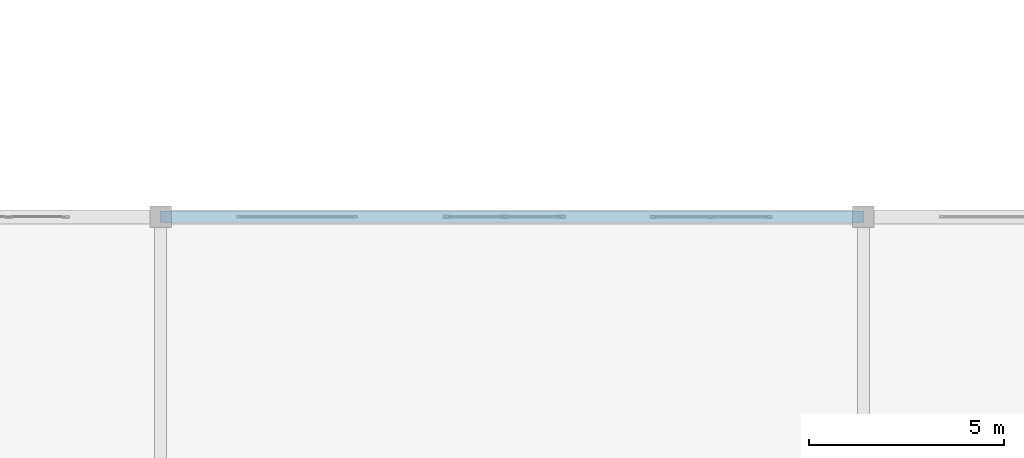
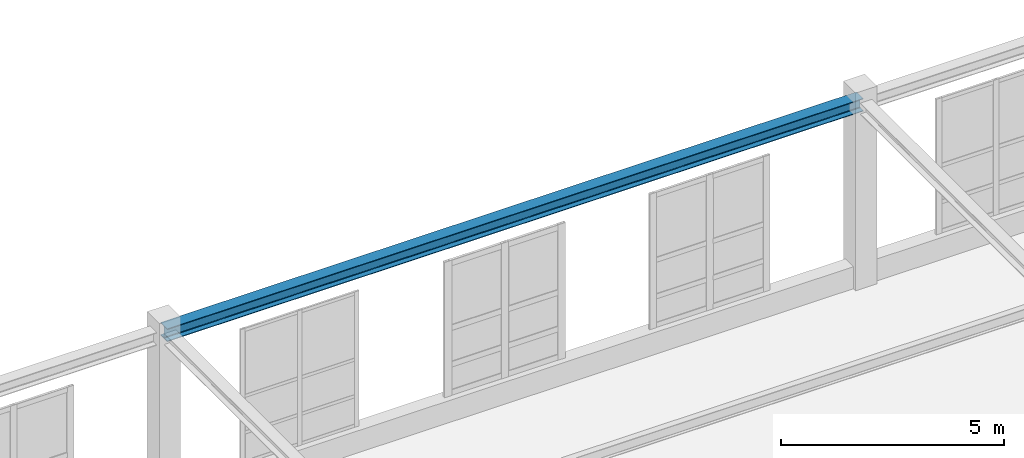
# One storey, part 89 of 197: 1 beam.
"""IFC4 building model written with IfcOpenShell, lengths in metres."""

from ifc_helpers import new_model, si_unit, derived_unit, direction, frame, origin, origin_2d, place, context, subcontext, project, spatial, i_section, extrude, material, material_profile, profile_set, type_object, element, save


model = new_model("IFC4")

# Units and contexts
model_context = context("Model", 3, precision=1e-05, world=origin(), true_north=direction((0.0, 1.0)))
body_context = subcontext(model_context, "Body", "Model", "MODEL_VIEW")
ifc_project = project(units=[si_unit("LENGTHUNIT", "METRE"), si_unit("AREAUNIT", "SQUARE_METRE"), si_unit("VOLUMEUNIT", "CUBIC_METRE"), si_unit("PLANEANGLEUNIT", "RADIAN"), si_unit("MASSUNIT", "GRAM", prefix="KILO"), derived_unit("THERMALTRANSMITTANCEUNIT", [(si_unit("POWERUNIT", "WATT"), 1), (si_unit("LENGTHUNIT", "METRE"), -2), (si_unit("THERMODYNAMICTEMPERATUREUNIT", "KELVIN"), -1)])], contexts=[model_context])

# Site, building, storey
site_placement = place(None, origin())
site = spatial("IfcSite", under=ifc_project, at=site_placement, CompositionType="ELEMENT")
building_placement = place(site_placement, origin())
building = spatial("IfcBuilding", under=site, at=building_placement, Name="Almenara Railside Exhibition Hall", CompositionType="ELEMENT")
storey_placement = place(building_placement, frame((0.0, 0.0, 5.39990234375)))
storey = spatial("IfcBuildingStorey", under=building, at=storey_placement, Name="L01", CompositionType="ELEMENT", Elevation=5.39990234375)

# Beam
ifc_material = material(Name="Structural steel S355JR", Category="steel")
ifc_material_profile = material_profile(ifc_material, i_section(OverallWidth=0.300048828125, OverallDepth=0.35009765625, WebThickness=0.010009765625, FlangeThickness=0.017578125, FilletRadius=0.027099609375, at=origin_2d()), Name="HEA 360")
ifc_profile_set = profile_set([ifc_material_profile], Name="Structural steel S355JR")
beam_type = type_object("IfcBeamType", Name="Steel Concourse Frame Beam HEA 360 S355JR", PredefinedType="BEAM", material=ifc_profile_set)
beam_placement = place(storey_placement, frame((102.0, 108.0, 4.9111328125), z_axis=(1.0, 0.0, 0.0), x_axis=(0.0, 1.0, 0.0)))
element("IfcBeam", 1, at=beam_placement, inside=storey, type_object=beam_type, Name="Beam 0809", PredefinedType="BEAM", context=body_context, shape_type="SweptSolid", body=[
    extrude(i_section(OverallWidth=0.300048828125, OverallDepth=0.35009765625, WebThickness=0.010009765625, FlangeThickness=0.017578125, FilletRadius=0.027099609375, at=origin_2d()), origin(), (0.0, 0.0, 1.0), 18.0),
])

save(model, "model.ifc")
